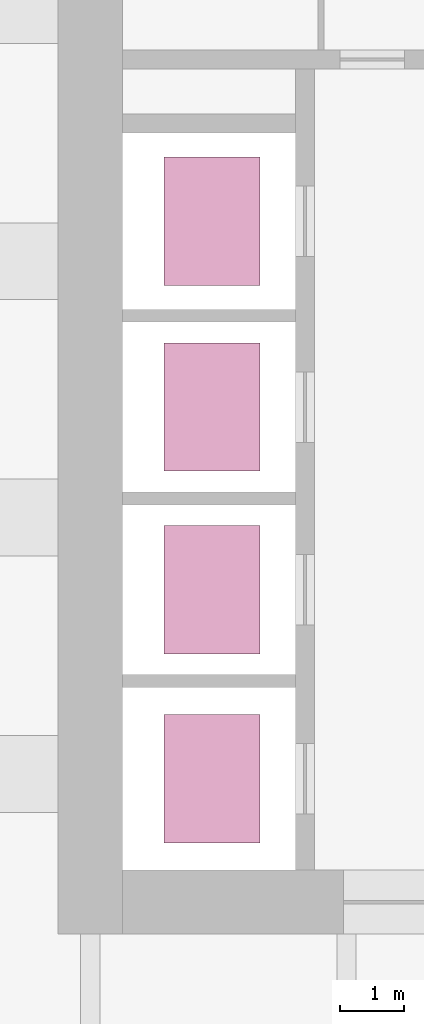
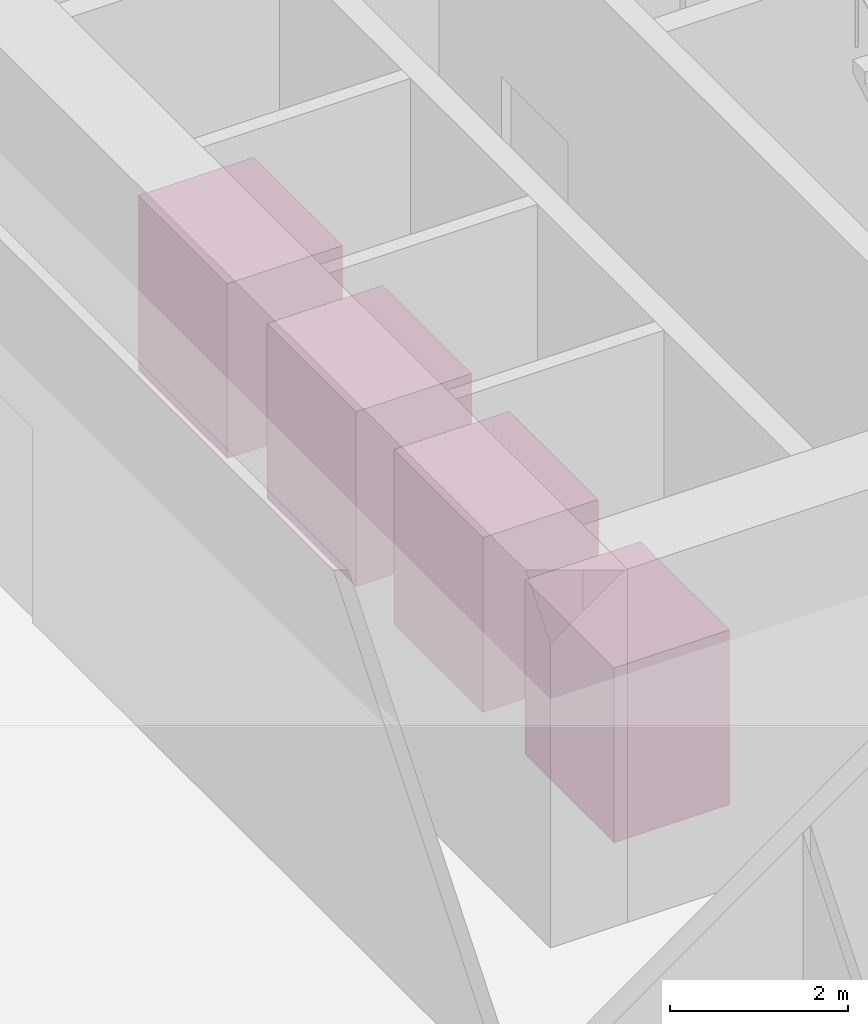
# One storey, part 13 of 13: 4 transport elements.
"""IFC4 building model written with IfcOpenShell, lengths in metres."""

from ifc_helpers import new_model, si_unit, direction, frame, origin, origin_2d, place, context, subcontext, project, spatial, rectangle, extrude, material, type_object, element, save


model = new_model("IFC4")

# Units and contexts
model_context = context("Model", 3, precision=1e-05, world=origin(), true_north=direction((0.0, 1.0)))
body_context = subcontext(model_context, "Body", "Model", "MODEL_VIEW")
ifc_project = project(units=[si_unit("LENGTHUNIT", "METRE"), si_unit("AREAUNIT", "SQUARE_METRE"), si_unit("VOLUMEUNIT", "CUBIC_METRE"), si_unit("PLANEANGLEUNIT", "RADIAN"), si_unit("MASSUNIT", "GRAM", prefix="KILO")], contexts=[model_context])

# Site, building, storey
site_placement = place(None, origin())
site = spatial("IfcSite", under=ifc_project, at=site_placement, CompositionType="ELEMENT")
building_placement = place(site_placement, origin())
building = spatial("IfcBuilding", under=site, at=building_placement, Name="Rimbunsela Tower", CompositionType="ELEMENT")
storey_placement = place(building_placement, frame((0.0, 0.0, 209.199951171875)))
storey = spatial("IfcBuildingStorey", under=building, at=storey_placement, Name="L50", CompositionType="ELEMENT", Elevation=209.199951171875)

# Transport elements
ifc_material = material(Name="Steel lift car", Category="steel")
transport_element_type = type_object("IfcTransportElementType", Name="Passenger lift 1350", PredefinedType="ELEVATOR", material=ifc_material)
for number, where, z_axis, x_axis, name in (
    (1, (19.89990234375, 19.925048828125, 0.0), (0.0, 0.0, 1.0), (1.0, 0.0, 0.0), "Top-rise lift TL1"),
    (2, (19.89990234375, 22.875, 0.0), (0.0, 0.0, 1.0), (1.0, 0.0, 0.0), "Top-rise lift TL2"),
    (3, (19.89990234375, 25.72509765625, 0.0), (0.0, 0.0, 1.0), (1.0, 0.0, 0.0), "Top-rise lift TL3"),
    (4, (19.89990234375, 28.625, 0.0), (0.0, 0.0, 1.0), (1.0, 0.0, 0.0), "Top-rise lift TL4"),
):
    element("IfcTransportElement", number, at=place(storey_placement, frame(where, z_axis=z_axis, x_axis=x_axis)), inside=storey, type_object=transport_element_type, Name=name, PredefinedType="ELEVATOR", context=body_context, shape_type="SweptSolid", body=[
        extrude(rectangle(XDim=1.5, YDim=2.0, at=origin_2d()), origin(), (0.0, 0.0, 1.0), 2.39990234375),
    ])

save(model, "model.ifc")
